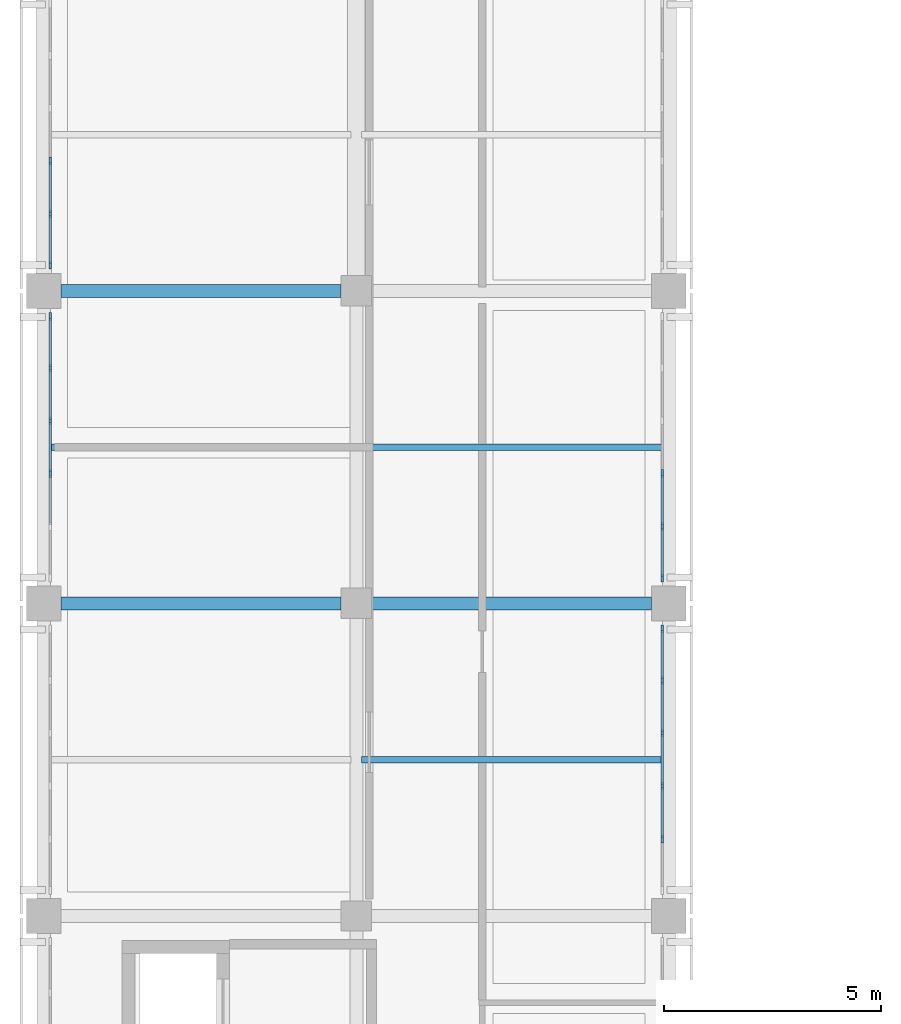
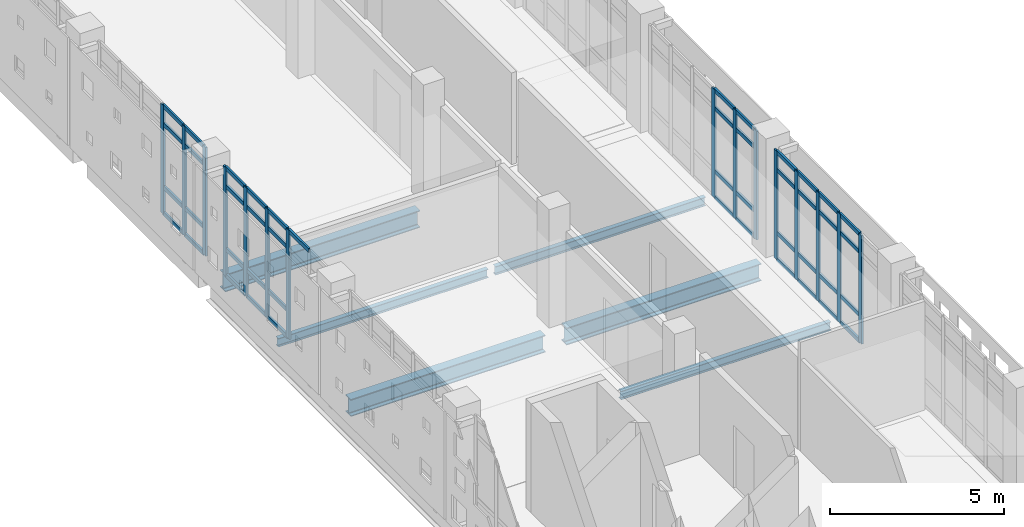
# One storey, part 6 of 33: 60 members, 6 beams, 4 elements without a shape of their own.
"""IFC4 building model written with IfcOpenShell, lengths in metres."""

from ifc_helpers import new_model, si_unit, direction, frame, origin, origin_2d, place, context, subcontext, project, spatial, rectangle, i_section, extrude, material, layer, layer_set, material_profile, profile_set, type_object, element, aggregate, save


model = new_model("IFC4")

# Units and contexts
model_context = context("Model", 3, precision=1e-05, world=origin(), true_north=direction((0.0, 1.0)))
body_context = subcontext(model_context, "Body", "Model", "MODEL_VIEW")
ifc_project = project(units=[si_unit("LENGTHUNIT", "METRE"), si_unit("AREAUNIT", "SQUARE_METRE"), si_unit("VOLUMEUNIT", "CUBIC_METRE"), si_unit("PLANEANGLEUNIT", "RADIAN"), si_unit("MASSUNIT", "GRAM", prefix="KILO")], contexts=[model_context])

# Site, building, storey
site_placement = place(None, origin())
site = spatial("IfcSite", under=ifc_project, at=site_placement, CompositionType="ELEMENT")
building_placement = place(site_placement, origin())
building = spatial("IfcBuilding", under=site, at=building_placement, Name="Valkovuoma Quantum and Materials Research Institute", CompositionType="ELEMENT")
storey_placement = place(building_placement, frame((0.0, 0.0, 21.43994140625)))
storey = spatial("IfcBuildingStorey", under=building, at=storey_placement, Name="L05", CompositionType="ELEMENT", Elevation=21.43994140625)

# Beams
ifc_material_1 = material(Name="Steel S355J2", Category="steel")
ifc_material_profile_1 = material_profile(ifc_material_1, i_section(OverallWidth=0.300048828125, OverallDepth=0.60009765625, WebThickness=0.015380859375, FlangeThickness=0.030029296875, FilletRadius=0.027099609375, at=origin_2d()), Name="Steel S355J2")
ifc_profile_set_1 = profile_set([ifc_material_profile_1], Name="Steel S355J2")
beam_type_1 = type_object("IfcBeamType", Name="Beam-B-HEB600", PredefinedType="BEAM", material=ifc_profile_set_1)
beam_1_placement = place(storey_placement, frame((0.39990234375, 50.39990234375, -0.64990234375), z_axis=(1.0, 0.0, 0.0), x_axis=(0.0, 1.0, 0.0)))
element("IfcBeam", 1, at=beam_1_placement, inside=storey, type_object=beam_type_1, Name="L05 beam X-2122", PredefinedType="BEAM", context=body_context, shape_type="SweptSolid", body=[
    extrude(i_section(OverallWidth=0.300048828125, OverallDepth=0.60009765625, WebThickness=0.015380859375, FlangeThickness=0.030029296875, FilletRadius=0.027099609375, at=origin_2d()), origin(), (0.0, 0.0, 1.0), 6.4501953125),
])
beam_2_placement = place(storey_placement, frame((7.550048828125, 50.39990234375, -0.64990234375), z_axis=(1.0, 0.0, 0.0), x_axis=(0.0, 1.0, 0.0)))
element("IfcBeam", 2, at=beam_2_placement, inside=storey, type_object=beam_type_1, Name="L05 beam X-2123", PredefinedType="BEAM", context=body_context, shape_type="SweptSolid", body=[
    extrude(i_section(OverallWidth=0.300048828125, OverallDepth=0.60009765625, WebThickness=0.015380859375, FlangeThickness=0.030029296875, FilletRadius=0.027099609375, at=origin_2d()), origin(), (0.0, 0.0, 1.0), 6.449951171875),
])
beam_3_placement = place(storey_placement, frame((0.39990234375, 57.60009765625, -0.64990234375), z_axis=(1.0, 0.0, 0.0), x_axis=(0.0, 1.0, 0.0)))
element("IfcBeam", 3, at=beam_3_placement, inside=storey, type_object=beam_type_1, Name="L05 beam X-2129", PredefinedType="BEAM", context=body_context, shape_type="SweptSolid", body=[
    extrude(i_section(OverallWidth=0.300048828125, OverallDepth=0.60009765625, WebThickness=0.015380859375, FlangeThickness=0.030029296875, FilletRadius=0.027099609375, at=origin_2d()), origin(), (0.0, 0.0, 1.0), 6.4501953125),
])
ifc_material_2 = material(Name="Steel S355J2", Category="steel")
ifc_material_profile_2 = material_profile(ifc_material_2, i_section(OverallWidth=0.14990234375, OverallDepth=0.300048828125, WebThickness=0.007080078125, FlangeThickness=0.0107421875, FilletRadius=0.014892578125, at=origin_2d()), Name="Steel S355J2")
ifc_profile_set_2 = profile_set([ifc_material_profile_2], Name="Steel S355J2")
beam_type_2 = type_object("IfcBeamType", Name="Beam-B-JST300", PredefinedType="JOIST", material=ifc_profile_set_2)
for number, where, z_axis, x_axis, name in (
    (4, (7.320068359375, 46.800048828125, -0.5), (1.0, 0.0, 0.0), (0.0, 1.0, 0.0), "L05 floor joist 2267"),
    (5, (0.1201171875, 54.0, -0.5), (1.0, 0.0, 0.0), (0.0, 1.0, 0.0), "L05 floor joist 2273"),
    (6, (7.320068359375, 54.0, -0.5), (1.0, 0.0, 0.0), (0.0, 1.0, 0.0), "L05 floor joist 2274"),
):
    element("IfcBeam", number, at=place(storey_placement, frame(where, z_axis=z_axis, x_axis=x_axis)), inside=storey, type_object=beam_type_2, Name=name, PredefinedType="JOIST", context=body_context, shape_type="SweptSolid", body=[
        extrude(i_section(OverallWidth=0.14990234375, OverallDepth=0.300048828125, WebThickness=0.007080078125, FlangeThickness=0.0107421875, FilletRadius=0.014892578125, at=origin_2d()), origin(), (0.0, 0.0, 1.0), 6.9599609375),
    ])

# Curtain wall, members
ifc_material_3 = material(Name="Thermally broken aluminium and triple low-E glazing", Category="aluminium")
ifc_layer = layer(ifc_material_3, 0.219970703125)
ifc_layer_set = layer_set([ifc_layer], Name="Thermally broken aluminium and triple low-E glazing")
curtain_wall_type = type_object("IfcCurtainWallType", Name="CW-CW-01", PredefinedType="NOTDEFINED", material=ifc_layer_set)
curtain_wall_1_placement = place(storey_placement, origin())
curtain_wall_1 = element("IfcCurtainWall", 7, at=curtain_wall_1_placement, inside=storey, type_object=curtain_wall_type, Name="L05 curtain wall 061", PredefinedType="NOTDEFINED")
ifc_material_4 = material(Name="Anodised aluminium 6060-T66", Category="aluminium")
ifc_material_profile_3 = material_profile(ifc_material_4, rectangle(XDim=0.06494140625, YDim=0.179931640625, at=origin_2d()), Name="Anodised aluminium 6060-T66")
ifc_profile_set_3 = profile_set([ifc_material_profile_3], Name="Anodised aluminium 6060-T66")
member_type_1 = type_object("IfcMemberType", Name="CWMull-CWM-01", PredefinedType="MULLION", material=ifc_profile_set_3)
member_1_placement = place(storey_placement, frame((14.25, 44.974365234375, 0.0), z_axis=(0.0, 0.0, 1.0), x_axis=(-1.0, 0.0, 0.0)))
member_1 = element("IfcMember", 8, at=member_1_placement, type_object=member_type_1, Name="CW-01 mullion 2", PredefinedType="MULLION", context=body_context, shape_type="SweptSolid", body=[
    extrude(rectangle(XDim=0.06494140625, YDim=0.179931640625, at=origin_2d()), origin(), (0.0, 0.0, 1.0), 3.81005859375),
])
member_2_placement = place(storey_placement, frame((14.25, 46.19140625, 0.0), z_axis=(0.0, 0.0, 1.0), x_axis=(-1.0, 0.0, 0.0)))
member_2 = element("IfcMember", 9, at=member_2_placement, type_object=member_type_1, Name="CW-01 mullion 3", PredefinedType="MULLION", context=body_context, shape_type="SweptSolid", body=[
    extrude(rectangle(XDim=0.06494140625, YDim=0.179931640625, at=origin_2d()), origin(), (0.0, 0.0, 1.0), 3.81005859375),
])
member_3_placement = place(storey_placement, frame((14.25, 47.40869140625, 0.0), z_axis=(0.0, 0.0, 1.0), x_axis=(-1.0, 0.0, 0.0)))
member_3 = element("IfcMember", 10, at=member_3_placement, type_object=member_type_1, Name="CW-01 mullion 4", PredefinedType="MULLION", context=body_context, shape_type="SweptSolid", body=[
    extrude(rectangle(XDim=0.06494140625, YDim=0.179931640625, at=origin_2d()), origin(), (0.0, 0.0, 1.0), 3.81005859375),
])
member_4_placement = place(storey_placement, frame((14.25, 48.625732421875, 0.0), z_axis=(0.0, 0.0, 1.0), x_axis=(-1.0, 0.0, 0.0)))
member_4 = element("IfcMember", 11, at=member_4_placement, type_object=member_type_1, Name="CW-01 mullion 5", PredefinedType="MULLION", context=body_context, shape_type="SweptSolid", body=[
    extrude(rectangle(XDim=0.06494140625, YDim=0.179931640625, at=origin_2d()), origin(), (0.0, 0.0, 1.0), 3.81005859375),
])
member_5_placement = place(storey_placement, frame((14.25, 49.810302734375, 0.0), z_axis=(0.0, 0.0, 1.0), x_axis=(-1.0, 0.0, 0.0)))
member_5 = element("IfcMember", 12, at=member_5_placement, type_object=member_type_1, Name="CW-01 mullion 6", PredefinedType="MULLION", context=body_context, shape_type="SweptSolid", body=[
    extrude(rectangle(XDim=0.06494140625, YDim=0.179931640625, at=origin_2d()), origin(), (0.0, 0.0, 1.0), 3.81005859375),
])

curtain_wall_2_placement = place(storey_placement, origin())
curtain_wall_2 = element("IfcCurtainWall", 13, at=curtain_wall_2_placement, inside=storey, type_object=curtain_wall_type, Name="L05 curtain wall 062", PredefinedType="NOTDEFINED")
member_6_placement = place(storey_placement, frame((0.14990234375, 53.391357421875, 0.0), z_axis=(0.0, 0.0, 1.0), x_axis=(-1.0, 0.0, 0.0)))
member_6 = element("IfcMember", 14, at=member_6_placement, type_object=member_type_1, Name="CW-01 mullion 3", PredefinedType="MULLION", context=body_context, shape_type="SweptSolid", body=[
    extrude(rectangle(XDim=0.06494140625, YDim=0.179931640625, at=origin_2d()), origin(), (0.0, 0.0, 1.0), 3.81005859375),
])
member_7_placement = place(storey_placement, frame((0.14990234375, 54.608642578125, 0.0), z_axis=(0.0, 0.0, 1.0), x_axis=(-1.0, 0.0, 0.0)))
member_7 = element("IfcMember", 15, at=member_7_placement, type_object=member_type_1, Name="CW-01 mullion 4", PredefinedType="MULLION", context=body_context, shape_type="SweptSolid", body=[
    extrude(rectangle(XDim=0.06494140625, YDim=0.179931640625, at=origin_2d()), origin(), (0.0, 0.0, 1.0), 3.81005859375),
])
member_8_placement = place(storey_placement, frame((0.14990234375, 55.82568359375, 0.0), z_axis=(0.0, 0.0, 1.0), x_axis=(-1.0, 0.0, 0.0)))
member_8 = element("IfcMember", 16, at=member_8_placement, type_object=member_type_1, Name="CW-01 mullion 5", PredefinedType="MULLION", context=body_context, shape_type="SweptSolid", body=[
    extrude(rectangle(XDim=0.06494140625, YDim=0.179931640625, at=origin_2d()), origin(), (0.0, 0.0, 1.0), 3.81005859375),
])
member_9_placement = place(storey_placement, frame((0.14990234375, 57.010498046875, 0.0), z_axis=(0.0, 0.0, 1.0), x_axis=(-1.0, 0.0, 0.0)))
member_9 = element("IfcMember", 17, at=member_9_placement, type_object=member_type_1, Name="CW-01 mullion 6", PredefinedType="MULLION", context=body_context, shape_type="SweptSolid", body=[
    extrude(rectangle(XDim=0.06494140625, YDim=0.179931640625, at=origin_2d()), origin(), (0.0, 0.0, 1.0), 3.81005859375),
])

curtain_wall_3_placement = place(storey_placement, origin())
curtain_wall_3 = element("IfcCurtainWall", 18, at=curtain_wall_3_placement, inside=storey, type_object=curtain_wall_type, Name="L05 curtain wall 063", PredefinedType="NOTDEFINED")
member_10_placement = place(storey_placement, frame((14.25, 50.989501953125, 0.0), z_axis=(0.0, 0.0, 1.0), x_axis=(-1.0, 0.0, 0.0)))
member_10 = element("IfcMember", 19, at=member_10_placement, type_object=member_type_1, Name="CW-01 mullion 1", PredefinedType="MULLION", context=body_context, shape_type="SweptSolid", body=[
    extrude(rectangle(XDim=0.06494140625, YDim=0.179931640625, at=origin_2d()), origin(), (0.0, 0.0, 1.0), 3.81005859375),
])
member_11_placement = place(storey_placement, frame((14.25, 52.17431640625, 0.0), z_axis=(0.0, 0.0, 1.0), x_axis=(-1.0, 0.0, 0.0)))
member_11 = element("IfcMember", 20, at=member_11_placement, type_object=member_type_1, Name="CW-01 mullion 2", PredefinedType="MULLION", context=body_context, shape_type="SweptSolid", body=[
    extrude(rectangle(XDim=0.06494140625, YDim=0.179931640625, at=origin_2d()), origin(), (0.0, 0.0, 1.0), 3.81005859375),
])
member_12_placement = place(storey_placement, frame((14.25, 53.391357421875, 0.0), z_axis=(0.0, 0.0, 1.0), x_axis=(-1.0, 0.0, 0.0)))
member_12 = element("IfcMember", 21, at=member_12_placement, type_object=member_type_1, Name="CW-01 mullion 3", PredefinedType="MULLION", context=body_context, shape_type="SweptSolid", body=[
    extrude(rectangle(XDim=0.06494140625, YDim=0.179931640625, at=origin_2d()), origin(), (0.0, 0.0, 1.0), 3.81005859375),
])

curtain_wall_4_placement = place(storey_placement, origin())
curtain_wall_4 = element("IfcCurtainWall", 22, at=curtain_wall_4_placement, inside=storey, type_object=curtain_wall_type, Name="L05 curtain wall 064", PredefinedType="NOTDEFINED")
member_13_placement = place(storey_placement, frame((0.14990234375, 58.189697265625, 0.0), z_axis=(0.0, 0.0, 1.0), x_axis=(-1.0, 0.0, 0.0)))
member_13 = element("IfcMember", 23, at=member_13_placement, type_object=member_type_1, Name="CW-01 mullion 1", PredefinedType="MULLION", context=body_context, shape_type="SweptSolid", body=[
    extrude(rectangle(XDim=0.06494140625, YDim=0.179931640625, at=origin_2d()), origin(), (0.0, 0.0, 1.0), 3.81005859375),
])
member_14_placement = place(storey_placement, frame((0.14990234375, 59.374267578125, 0.0), z_axis=(0.0, 0.0, 1.0), x_axis=(-1.0, 0.0, 0.0)))
member_14 = element("IfcMember", 24, at=member_14_placement, type_object=member_type_1, Name="CW-01 mullion 2", PredefinedType="MULLION", context=body_context, shape_type="SweptSolid", body=[
    extrude(rectangle(XDim=0.06494140625, YDim=0.179931640625, at=origin_2d()), origin(), (0.0, 0.0, 1.0), 3.81005859375),
])
member_15_placement = place(storey_placement, frame((0.14990234375, 60.59130859375, 0.0), z_axis=(0.0, 0.0, 1.0), x_axis=(-1.0, 0.0, 0.0)))
member_15 = element("IfcMember", 25, at=member_15_placement, type_object=member_type_1, Name="CW-01 mullion 3", PredefinedType="MULLION", context=body_context, shape_type="SweptSolid", body=[
    extrude(rectangle(XDim=0.06494140625, YDim=0.179931640625, at=origin_2d()), origin(), (0.0, 0.0, 1.0), 3.81005859375),
])

# Member
ifc_material_5 = material(Name="Anodised aluminium 6060-T66", Category="aluminium")
ifc_material_profile_4 = material_profile(ifc_material_5, rectangle(XDim=0.06494140625, YDim=0.139892578125, at=origin_2d()), Name="Anodised aluminium 6060-T66")
ifc_profile_set_4 = profile_set([ifc_material_profile_4], Name="Anodised aluminium 6060-T66")
member_type_2 = type_object("IfcMemberType", Name="CWTran-CWT-01", PredefinedType="USERDEFINED", material=ifc_profile_set_4)
member_16_placement = place(storey_placement, frame((14.25, 45.0068359375, 0.032470703125), z_axis=(0.0, 1.0, 0.0), x_axis=(-1.0, 0.0, 0.0)))
member_16 = element("IfcMember", 26, at=member_16_placement, type_object=member_type_2, Name="CW-01 transom 2.1", ObjectType="TRANSOM", PredefinedType="USERDEFINED", context=body_context, shape_type="SweptSolid", body=[
    extrude(rectangle(XDim=0.06494140625, YDim=0.139892578125, at=origin_2d()), origin(), (0.0, 0.0, 1.0), 1.152099609375),
])

member_17_placement = place(storey_placement, frame((14.25, 45.0068359375, 0.949951171875), z_axis=(0.0, 1.0, 0.0), x_axis=(-1.0, 0.0, 0.0)))
member_17 = element("IfcMember", 27, at=member_17_placement, type_object=member_type_2, Name="CW-01 transom 2.2", ObjectType="TRANSOM", PredefinedType="USERDEFINED", context=body_context, shape_type="SweptSolid", body=[
    extrude(rectangle(XDim=0.06494140625, YDim=0.139892578125, at=origin_2d()), origin(), (0.0, 0.0, 1.0), 1.152099609375),
])

member_18_placement = place(storey_placement, frame((14.25, 45.0068359375, 3.16015625), z_axis=(0.0, 1.0, 0.0), x_axis=(-1.0, 0.0, 0.0)))
member_18 = element("IfcMember", 28, at=member_18_placement, type_object=member_type_2, Name="CW-01 transom 2.3", ObjectType="TRANSOM", PredefinedType="USERDEFINED", context=body_context, shape_type="SweptSolid", body=[
    extrude(rectangle(XDim=0.06494140625, YDim=0.139892578125, at=origin_2d()), origin(), (0.0, 0.0, 1.0), 1.152099609375),
])

member_19_placement = place(storey_placement, frame((14.25, 45.0068359375, 3.777587890625), z_axis=(0.0, 1.0, 0.0), x_axis=(-1.0, 0.0, 0.0)))
member_19 = element("IfcMember", 29, at=member_19_placement, type_object=member_type_2, Name="CW-01 transom 2.4", ObjectType="TRANSOM", PredefinedType="USERDEFINED", context=body_context, shape_type="SweptSolid", body=[
    extrude(rectangle(XDim=0.06494140625, YDim=0.139892578125, at=origin_2d()), origin(), (0.0, 0.0, 1.0), 1.152099609375),
])

member_20_placement = place(storey_placement, frame((14.25, 46.223876953125, 0.032470703125), z_axis=(0.0, 1.0, 0.0), x_axis=(-1.0, 0.0, 0.0)))
member_20 = element("IfcMember", 30, at=member_20_placement, type_object=member_type_2, Name="CW-01 transom 3.1", ObjectType="TRANSOM", PredefinedType="USERDEFINED", context=body_context, shape_type="SweptSolid", body=[
    extrude(rectangle(XDim=0.06494140625, YDim=0.139892578125, at=origin_2d()), origin(), (0.0, 0.0, 1.0), 1.152099609375),
])

member_21_placement = place(storey_placement, frame((14.25, 46.223876953125, 0.949951171875), z_axis=(0.0, 1.0, 0.0), x_axis=(-1.0, 0.0, 0.0)))
member_21 = element("IfcMember", 31, at=member_21_placement, type_object=member_type_2, Name="CW-01 transom 3.2", ObjectType="TRANSOM", PredefinedType="USERDEFINED", context=body_context, shape_type="SweptSolid", body=[
    extrude(rectangle(XDim=0.06494140625, YDim=0.139892578125, at=origin_2d()), origin(), (0.0, 0.0, 1.0), 1.152099609375),
])

member_22_placement = place(storey_placement, frame((14.25, 46.223876953125, 3.16015625), z_axis=(0.0, 1.0, 0.0), x_axis=(-1.0, 0.0, 0.0)))
member_22 = element("IfcMember", 32, at=member_22_placement, type_object=member_type_2, Name="CW-01 transom 3.3", ObjectType="TRANSOM", PredefinedType="USERDEFINED", context=body_context, shape_type="SweptSolid", body=[
    extrude(rectangle(XDim=0.06494140625, YDim=0.139892578125, at=origin_2d()), origin(), (0.0, 0.0, 1.0), 1.152099609375),
])

member_23_placement = place(storey_placement, frame((14.25, 46.223876953125, 3.777587890625), z_axis=(0.0, 1.0, 0.0), x_axis=(-1.0, 0.0, 0.0)))
member_23 = element("IfcMember", 33, at=member_23_placement, type_object=member_type_2, Name="CW-01 transom 3.4", ObjectType="TRANSOM", PredefinedType="USERDEFINED", context=body_context, shape_type="SweptSolid", body=[
    extrude(rectangle(XDim=0.06494140625, YDim=0.139892578125, at=origin_2d()), origin(), (0.0, 0.0, 1.0), 1.152099609375),
])

member_24_placement = place(storey_placement, frame((14.25, 47.441162109375, 0.032470703125), z_axis=(0.0, 1.0, 0.0), x_axis=(-1.0, 0.0, 0.0)))
member_24 = element("IfcMember", 34, at=member_24_placement, type_object=member_type_2, Name="CW-01 transom 4.1", ObjectType="TRANSOM", PredefinedType="USERDEFINED", context=body_context, shape_type="SweptSolid", body=[
    extrude(rectangle(XDim=0.06494140625, YDim=0.139892578125, at=origin_2d()), origin(), (0.0, 0.0, 1.0), 1.152099609375),
])

member_25_placement = place(storey_placement, frame((14.25, 47.441162109375, 0.949951171875), z_axis=(0.0, 1.0, 0.0), x_axis=(-1.0, 0.0, 0.0)))
member_25 = element("IfcMember", 35, at=member_25_placement, type_object=member_type_2, Name="CW-01 transom 4.2", ObjectType="TRANSOM", PredefinedType="USERDEFINED", context=body_context, shape_type="SweptSolid", body=[
    extrude(rectangle(XDim=0.06494140625, YDim=0.139892578125, at=origin_2d()), origin(), (0.0, 0.0, 1.0), 1.152099609375),
])

member_26_placement = place(storey_placement, frame((14.25, 47.441162109375, 3.16015625), z_axis=(0.0, 1.0, 0.0), x_axis=(-1.0, 0.0, 0.0)))
member_26 = element("IfcMember", 36, at=member_26_placement, type_object=member_type_2, Name="CW-01 transom 4.3", ObjectType="TRANSOM", PredefinedType="USERDEFINED", context=body_context, shape_type="SweptSolid", body=[
    extrude(rectangle(XDim=0.06494140625, YDim=0.139892578125, at=origin_2d()), origin(), (0.0, 0.0, 1.0), 1.152099609375),
])

member_27_placement = place(storey_placement, frame((14.25, 47.441162109375, 3.777587890625), z_axis=(0.0, 1.0, 0.0), x_axis=(-1.0, 0.0, 0.0)))
member_27 = element("IfcMember", 37, at=member_27_placement, type_object=member_type_2, Name="CW-01 transom 4.4", ObjectType="TRANSOM", PredefinedType="USERDEFINED", context=body_context, shape_type="SweptSolid", body=[
    extrude(rectangle(XDim=0.06494140625, YDim=0.139892578125, at=origin_2d()), origin(), (0.0, 0.0, 1.0), 1.152099609375),
])

member_28_placement = place(storey_placement, frame((14.25, 48.658203125, 0.032470703125), z_axis=(0.0, 1.0, 0.0), x_axis=(-1.0, 0.0, 0.0)))
member_28 = element("IfcMember", 38, at=member_28_placement, type_object=member_type_2, Name="CW-01 transom 5.1", ObjectType="TRANSOM", PredefinedType="USERDEFINED", context=body_context, shape_type="SweptSolid", body=[
    extrude(rectangle(XDim=0.06494140625, YDim=0.139892578125, at=origin_2d()), origin(), (0.0, 0.0, 1.0), 1.11962890625),
])

member_29_placement = place(storey_placement, frame((14.25, 48.658203125, 0.949951171875), z_axis=(0.0, 1.0, 0.0), x_axis=(-1.0, 0.0, 0.0)))
member_29 = element("IfcMember", 39, at=member_29_placement, type_object=member_type_2, Name="CW-01 transom 5.2", ObjectType="TRANSOM", PredefinedType="USERDEFINED", context=body_context, shape_type="SweptSolid", body=[
    extrude(rectangle(XDim=0.06494140625, YDim=0.139892578125, at=origin_2d()), origin(), (0.0, 0.0, 1.0), 1.11962890625),
])

member_30_placement = place(storey_placement, frame((14.25, 48.658203125, 3.16015625), z_axis=(0.0, 1.0, 0.0), x_axis=(-1.0, 0.0, 0.0)))
member_30 = element("IfcMember", 40, at=member_30_placement, type_object=member_type_2, Name="CW-01 transom 5.3", ObjectType="TRANSOM", PredefinedType="USERDEFINED", context=body_context, shape_type="SweptSolid", body=[
    extrude(rectangle(XDim=0.06494140625, YDim=0.139892578125, at=origin_2d()), origin(), (0.0, 0.0, 1.0), 1.11962890625),
])

member_31_placement = place(storey_placement, frame((14.25, 48.658203125, 3.777587890625), z_axis=(0.0, 1.0, 0.0), x_axis=(-1.0, 0.0, 0.0)))
member_31 = element("IfcMember", 41, at=member_31_placement, type_object=member_type_2, Name="CW-01 transom 5.4", ObjectType="TRANSOM", PredefinedType="USERDEFINED", context=body_context, shape_type="SweptSolid", body=[
    extrude(rectangle(XDim=0.06494140625, YDim=0.139892578125, at=origin_2d()), origin(), (0.0, 0.0, 1.0), 1.11962890625),
])

aggregate(curtain_wall_1, [member_1, member_2, member_3, member_4, member_5, member_16, member_17, member_18, member_19, member_20, member_21, member_22, member_23, member_24, member_25, member_26, member_27, member_28, member_29, member_30, member_31])

member_32_placement = place(storey_placement, frame((0.14990234375, 52.206787109375, 3.777587890625), z_axis=(0.0, 1.0, 0.0), x_axis=(-1.0, 0.0, 0.0)))
member_32 = element("IfcMember", 42, at=member_32_placement, type_object=member_type_2, Name="CW-01 transom 2.4", ObjectType="TRANSOM", PredefinedType="USERDEFINED", context=body_context, shape_type="SweptSolid", body=[
    extrude(rectangle(XDim=0.06494140625, YDim=0.139892578125, at=origin_2d()), origin(), (0.0, 0.0, 1.0), 1.152099609375),
])

member_33_placement = place(storey_placement, frame((0.14990234375, 53.423828125, 0.032470703125), z_axis=(0.0, 1.0, 0.0), x_axis=(-1.0, 0.0, 0.0)))
member_33 = element("IfcMember", 43, at=member_33_placement, type_object=member_type_2, Name="CW-01 transom 3.1", ObjectType="TRANSOM", PredefinedType="USERDEFINED", context=body_context, shape_type="SweptSolid", body=[
    extrude(rectangle(XDim=0.06494140625, YDim=0.139892578125, at=origin_2d()), origin(), (0.0, 0.0, 1.0), 1.15234375),
])

member_34_placement = place(storey_placement, frame((0.14990234375, 53.423828125, 0.949951171875), z_axis=(0.0, 1.0, 0.0), x_axis=(-1.0, 0.0, 0.0)))
member_34 = element("IfcMember", 44, at=member_34_placement, type_object=member_type_2, Name="CW-01 transom 3.2", ObjectType="TRANSOM", PredefinedType="USERDEFINED", context=body_context, shape_type="SweptSolid", body=[
    extrude(rectangle(XDim=0.06494140625, YDim=0.139892578125, at=origin_2d()), origin(), (0.0, 0.0, 1.0), 1.15234375),
])

member_35_placement = place(storey_placement, frame((0.14990234375, 53.423828125, 3.16015625), z_axis=(0.0, 1.0, 0.0), x_axis=(-1.0, 0.0, 0.0)))
member_35 = element("IfcMember", 45, at=member_35_placement, type_object=member_type_2, Name="CW-01 transom 3.3", ObjectType="TRANSOM", PredefinedType="USERDEFINED", context=body_context, shape_type="SweptSolid", body=[
    extrude(rectangle(XDim=0.06494140625, YDim=0.139892578125, at=origin_2d()), origin(), (0.0, 0.0, 1.0), 1.15234375),
])

member_36_placement = place(storey_placement, frame((0.14990234375, 53.423828125, 3.777587890625), z_axis=(0.0, 1.0, 0.0), x_axis=(-1.0, 0.0, 0.0)))
member_36 = element("IfcMember", 46, at=member_36_placement, type_object=member_type_2, Name="CW-01 transom 3.4", ObjectType="TRANSOM", PredefinedType="USERDEFINED", context=body_context, shape_type="SweptSolid", body=[
    extrude(rectangle(XDim=0.06494140625, YDim=0.139892578125, at=origin_2d()), origin(), (0.0, 0.0, 1.0), 1.15234375),
])

member_37_placement = place(storey_placement, frame((0.14990234375, 54.64111328125, 0.032470703125), z_axis=(0.0, 1.0, 0.0), x_axis=(-1.0, 0.0, 0.0)))
member_37 = element("IfcMember", 47, at=member_37_placement, type_object=member_type_2, Name="CW-01 transom 4.1", ObjectType="TRANSOM", PredefinedType="USERDEFINED", context=body_context, shape_type="SweptSolid", body=[
    extrude(rectangle(XDim=0.06494140625, YDim=0.139892578125, at=origin_2d()), origin(), (0.0, 0.0, 1.0), 1.152099609375),
])

member_38_placement = place(storey_placement, frame((0.14990234375, 54.64111328125, 0.949951171875), z_axis=(0.0, 1.0, 0.0), x_axis=(-1.0, 0.0, 0.0)))
member_38 = element("IfcMember", 48, at=member_38_placement, type_object=member_type_2, Name="CW-01 transom 4.2", ObjectType="TRANSOM", PredefinedType="USERDEFINED", context=body_context, shape_type="SweptSolid", body=[
    extrude(rectangle(XDim=0.06494140625, YDim=0.139892578125, at=origin_2d()), origin(), (0.0, 0.0, 1.0), 1.152099609375),
])

member_39_placement = place(storey_placement, frame((0.14990234375, 54.64111328125, 3.16015625), z_axis=(0.0, 1.0, 0.0), x_axis=(-1.0, 0.0, 0.0)))
member_39 = element("IfcMember", 49, at=member_39_placement, type_object=member_type_2, Name="CW-01 transom 4.3", ObjectType="TRANSOM", PredefinedType="USERDEFINED", context=body_context, shape_type="SweptSolid", body=[
    extrude(rectangle(XDim=0.06494140625, YDim=0.139892578125, at=origin_2d()), origin(), (0.0, 0.0, 1.0), 1.152099609375),
])

member_40_placement = place(storey_placement, frame((0.14990234375, 54.64111328125, 3.777587890625), z_axis=(0.0, 1.0, 0.0), x_axis=(-1.0, 0.0, 0.0)))
member_40 = element("IfcMember", 50, at=member_40_placement, type_object=member_type_2, Name="CW-01 transom 4.4", ObjectType="TRANSOM", PredefinedType="USERDEFINED", context=body_context, shape_type="SweptSolid", body=[
    extrude(rectangle(XDim=0.06494140625, YDim=0.139892578125, at=origin_2d()), origin(), (0.0, 0.0, 1.0), 1.152099609375),
])

member_41_placement = place(storey_placement, frame((0.14990234375, 55.858154296875, 0.032470703125), z_axis=(0.0, 1.0, 0.0), x_axis=(-1.0, 0.0, 0.0)))
member_41 = element("IfcMember", 51, at=member_41_placement, type_object=member_type_2, Name="CW-01 transom 5.1", ObjectType="TRANSOM", PredefinedType="USERDEFINED", context=body_context, shape_type="SweptSolid", body=[
    extrude(rectangle(XDim=0.06494140625, YDim=0.139892578125, at=origin_2d()), origin(), (0.0, 0.0, 1.0), 1.11962890625),
])

member_42_placement = place(storey_placement, frame((0.14990234375, 55.858154296875, 0.949951171875), z_axis=(0.0, 1.0, 0.0), x_axis=(-1.0, 0.0, 0.0)))
member_42 = element("IfcMember", 52, at=member_42_placement, type_object=member_type_2, Name="CW-01 transom 5.2", ObjectType="TRANSOM", PredefinedType="USERDEFINED", context=body_context, shape_type="SweptSolid", body=[
    extrude(rectangle(XDim=0.06494140625, YDim=0.139892578125, at=origin_2d()), origin(), (0.0, 0.0, 1.0), 1.11962890625),
])

member_43_placement = place(storey_placement, frame((0.14990234375, 55.858154296875, 3.16015625), z_axis=(0.0, 1.0, 0.0), x_axis=(-1.0, 0.0, 0.0)))
member_43 = element("IfcMember", 53, at=member_43_placement, type_object=member_type_2, Name="CW-01 transom 5.3", ObjectType="TRANSOM", PredefinedType="USERDEFINED", context=body_context, shape_type="SweptSolid", body=[
    extrude(rectangle(XDim=0.06494140625, YDim=0.139892578125, at=origin_2d()), origin(), (0.0, 0.0, 1.0), 1.11962890625),
])

member_44_placement = place(storey_placement, frame((0.14990234375, 55.858154296875, 3.777587890625), z_axis=(0.0, 1.0, 0.0), x_axis=(-1.0, 0.0, 0.0)))
member_44 = element("IfcMember", 54, at=member_44_placement, type_object=member_type_2, Name="CW-01 transom 5.4", ObjectType="TRANSOM", PredefinedType="USERDEFINED", context=body_context, shape_type="SweptSolid", body=[
    extrude(rectangle(XDim=0.06494140625, YDim=0.139892578125, at=origin_2d()), origin(), (0.0, 0.0, 1.0), 1.11962890625),
])

aggregate(curtain_wall_2, [member_6, member_7, member_8, member_9, member_32, member_33, member_34, member_35, member_36, member_37, member_38, member_39, member_40, member_41, member_42, member_43, member_44])

member_45_placement = place(storey_placement, frame((14.25, 51.022216796875, 0.032470703125), z_axis=(0.0, 1.0, 0.0), x_axis=(-1.0, 0.0, 0.0)))
member_45 = element("IfcMember", 55, at=member_45_placement, type_object=member_type_2, Name="CW-01 transom 1.1", ObjectType="TRANSOM", PredefinedType="USERDEFINED", context=body_context, shape_type="SweptSolid", body=[
    extrude(rectangle(XDim=0.06494140625, YDim=0.139892578125, at=origin_2d()), origin(), (0.0, 0.0, 1.0), 1.11962890625),
])

member_46_placement = place(storey_placement, frame((14.25, 51.022216796875, 0.949951171875), z_axis=(0.0, 1.0, 0.0), x_axis=(-1.0, 0.0, 0.0)))
member_46 = element("IfcMember", 56, at=member_46_placement, type_object=member_type_2, Name="CW-01 transom 1.2", ObjectType="TRANSOM", PredefinedType="USERDEFINED", context=body_context, shape_type="SweptSolid", body=[
    extrude(rectangle(XDim=0.06494140625, YDim=0.139892578125, at=origin_2d()), origin(), (0.0, 0.0, 1.0), 1.11962890625),
])

member_47_placement = place(storey_placement, frame((14.25, 51.022216796875, 3.16015625), z_axis=(0.0, 1.0, 0.0), x_axis=(-1.0, 0.0, 0.0)))
member_47 = element("IfcMember", 57, at=member_47_placement, type_object=member_type_2, Name="CW-01 transom 1.3", ObjectType="TRANSOM", PredefinedType="USERDEFINED", context=body_context, shape_type="SweptSolid", body=[
    extrude(rectangle(XDim=0.06494140625, YDim=0.139892578125, at=origin_2d()), origin(), (0.0, 0.0, 1.0), 1.11962890625),
])

member_48_placement = place(storey_placement, frame((14.25, 51.022216796875, 3.777587890625), z_axis=(0.0, 1.0, 0.0), x_axis=(-1.0, 0.0, 0.0)))
member_48 = element("IfcMember", 58, at=member_48_placement, type_object=member_type_2, Name="CW-01 transom 1.4", ObjectType="TRANSOM", PredefinedType="USERDEFINED", context=body_context, shape_type="SweptSolid", body=[
    extrude(rectangle(XDim=0.06494140625, YDim=0.139892578125, at=origin_2d()), origin(), (0.0, 0.0, 1.0), 1.11962890625),
])

member_49_placement = place(storey_placement, frame((14.25, 52.206787109375, 0.032470703125), z_axis=(0.0, 1.0, 0.0), x_axis=(-1.0, 0.0, 0.0)))
member_49 = element("IfcMember", 59, at=member_49_placement, type_object=member_type_2, Name="CW-01 transom 2.1", ObjectType="TRANSOM", PredefinedType="USERDEFINED", context=body_context, shape_type="SweptSolid", body=[
    extrude(rectangle(XDim=0.06494140625, YDim=0.139892578125, at=origin_2d()), origin(), (0.0, 0.0, 1.0), 1.152099609375),
])

member_50_placement = place(storey_placement, frame((14.25, 52.206787109375, 0.949951171875), z_axis=(0.0, 1.0, 0.0), x_axis=(-1.0, 0.0, 0.0)))
member_50 = element("IfcMember", 60, at=member_50_placement, type_object=member_type_2, Name="CW-01 transom 2.2", ObjectType="TRANSOM", PredefinedType="USERDEFINED", context=body_context, shape_type="SweptSolid", body=[
    extrude(rectangle(XDim=0.06494140625, YDim=0.139892578125, at=origin_2d()), origin(), (0.0, 0.0, 1.0), 1.152099609375),
])

member_51_placement = place(storey_placement, frame((14.25, 52.206787109375, 3.16015625), z_axis=(0.0, 1.0, 0.0), x_axis=(-1.0, 0.0, 0.0)))
member_51 = element("IfcMember", 61, at=member_51_placement, type_object=member_type_2, Name="CW-01 transom 2.3", ObjectType="TRANSOM", PredefinedType="USERDEFINED", context=body_context, shape_type="SweptSolid", body=[
    extrude(rectangle(XDim=0.06494140625, YDim=0.139892578125, at=origin_2d()), origin(), (0.0, 0.0, 1.0), 1.152099609375),
])

member_52_placement = place(storey_placement, frame((14.25, 52.206787109375, 3.777587890625), z_axis=(0.0, 1.0, 0.0), x_axis=(-1.0, 0.0, 0.0)))
member_52 = element("IfcMember", 62, at=member_52_placement, type_object=member_type_2, Name="CW-01 transom 2.4", ObjectType="TRANSOM", PredefinedType="USERDEFINED", context=body_context, shape_type="SweptSolid", body=[
    extrude(rectangle(XDim=0.06494140625, YDim=0.139892578125, at=origin_2d()), origin(), (0.0, 0.0, 1.0), 1.152099609375),
])

aggregate(curtain_wall_3, [member_10, member_11, member_12, member_45, member_46, member_47, member_48, member_49, member_50, member_51, member_52])

member_53_placement = place(storey_placement, frame((0.14990234375, 58.22216796875, 0.032470703125), z_axis=(0.0, 1.0, 0.0), x_axis=(-1.0, 0.0, 0.0)))
member_53 = element("IfcMember", 63, at=member_53_placement, type_object=member_type_2, Name="CW-01 transom 1.1", ObjectType="TRANSOM", PredefinedType="USERDEFINED", context=body_context, shape_type="SweptSolid", body=[
    extrude(rectangle(XDim=0.06494140625, YDim=0.139892578125, at=origin_2d()), origin(), (0.0, 0.0, 1.0), 1.11962890625),
])

member_54_placement = place(storey_placement, frame((0.14990234375, 58.22216796875, 0.949951171875), z_axis=(0.0, 1.0, 0.0), x_axis=(-1.0, 0.0, 0.0)))
member_54 = element("IfcMember", 64, at=member_54_placement, type_object=member_type_2, Name="CW-01 transom 1.2", ObjectType="TRANSOM", PredefinedType="USERDEFINED", context=body_context, shape_type="SweptSolid", body=[
    extrude(rectangle(XDim=0.06494140625, YDim=0.139892578125, at=origin_2d()), origin(), (0.0, 0.0, 1.0), 1.11962890625),
])

member_55_placement = place(storey_placement, frame((0.14990234375, 58.22216796875, 3.16015625), z_axis=(0.0, 1.0, 0.0), x_axis=(-1.0, 0.0, 0.0)))
member_55 = element("IfcMember", 65, at=member_55_placement, type_object=member_type_2, Name="CW-01 transom 1.3", ObjectType="TRANSOM", PredefinedType="USERDEFINED", context=body_context, shape_type="SweptSolid", body=[
    extrude(rectangle(XDim=0.06494140625, YDim=0.139892578125, at=origin_2d()), origin(), (0.0, 0.0, 1.0), 1.11962890625),
])

member_56_placement = place(storey_placement, frame((0.14990234375, 58.22216796875, 3.777587890625), z_axis=(0.0, 1.0, 0.0), x_axis=(-1.0, 0.0, 0.0)))
member_56 = element("IfcMember", 66, at=member_56_placement, type_object=member_type_2, Name="CW-01 transom 1.4", ObjectType="TRANSOM", PredefinedType="USERDEFINED", context=body_context, shape_type="SweptSolid", body=[
    extrude(rectangle(XDim=0.06494140625, YDim=0.139892578125, at=origin_2d()), origin(), (0.0, 0.0, 1.0), 1.11962890625),
])

member_57_placement = place(storey_placement, frame((0.14990234375, 59.40673828125, 0.032470703125), z_axis=(0.0, 1.0, 0.0), x_axis=(-1.0, 0.0, 0.0)))
member_57 = element("IfcMember", 67, at=member_57_placement, type_object=member_type_2, Name="CW-01 transom 2.1", ObjectType="TRANSOM", PredefinedType="USERDEFINED", context=body_context, shape_type="SweptSolid", body=[
    extrude(rectangle(XDim=0.06494140625, YDim=0.139892578125, at=origin_2d()), origin(), (0.0, 0.0, 1.0), 1.152099609375),
])

member_58_placement = place(storey_placement, frame((0.14990234375, 59.40673828125, 0.949951171875), z_axis=(0.0, 1.0, 0.0), x_axis=(-1.0, 0.0, 0.0)))
member_58 = element("IfcMember", 68, at=member_58_placement, type_object=member_type_2, Name="CW-01 transom 2.2", ObjectType="TRANSOM", PredefinedType="USERDEFINED", context=body_context, shape_type="SweptSolid", body=[
    extrude(rectangle(XDim=0.06494140625, YDim=0.139892578125, at=origin_2d()), origin(), (0.0, 0.0, 1.0), 1.152099609375),
])

member_59_placement = place(storey_placement, frame((0.14990234375, 59.40673828125, 3.16015625), z_axis=(0.0, 1.0, 0.0), x_axis=(-1.0, 0.0, 0.0)))
member_59 = element("IfcMember", 69, at=member_59_placement, type_object=member_type_2, Name="CW-01 transom 2.3", ObjectType="TRANSOM", PredefinedType="USERDEFINED", context=body_context, shape_type="SweptSolid", body=[
    extrude(rectangle(XDim=0.06494140625, YDim=0.139892578125, at=origin_2d()), origin(), (0.0, 0.0, 1.0), 1.152099609375),
])

member_60_placement = place(storey_placement, frame((0.14990234375, 59.40673828125, 3.777587890625), z_axis=(0.0, 1.0, 0.0), x_axis=(-1.0, 0.0, 0.0)))
member_60 = element("IfcMember", 70, at=member_60_placement, type_object=member_type_2, Name="CW-01 transom 2.4", ObjectType="TRANSOM", PredefinedType="USERDEFINED", context=body_context, shape_type="SweptSolid", body=[
    extrude(rectangle(XDim=0.06494140625, YDim=0.139892578125, at=origin_2d()), origin(), (0.0, 0.0, 1.0), 1.152099609375),
])

aggregate(curtain_wall_4, [member_13, member_14, member_15, member_53, member_54, member_55, member_56, member_57, member_58, member_59, member_60])

save(model, "model.ifc")
